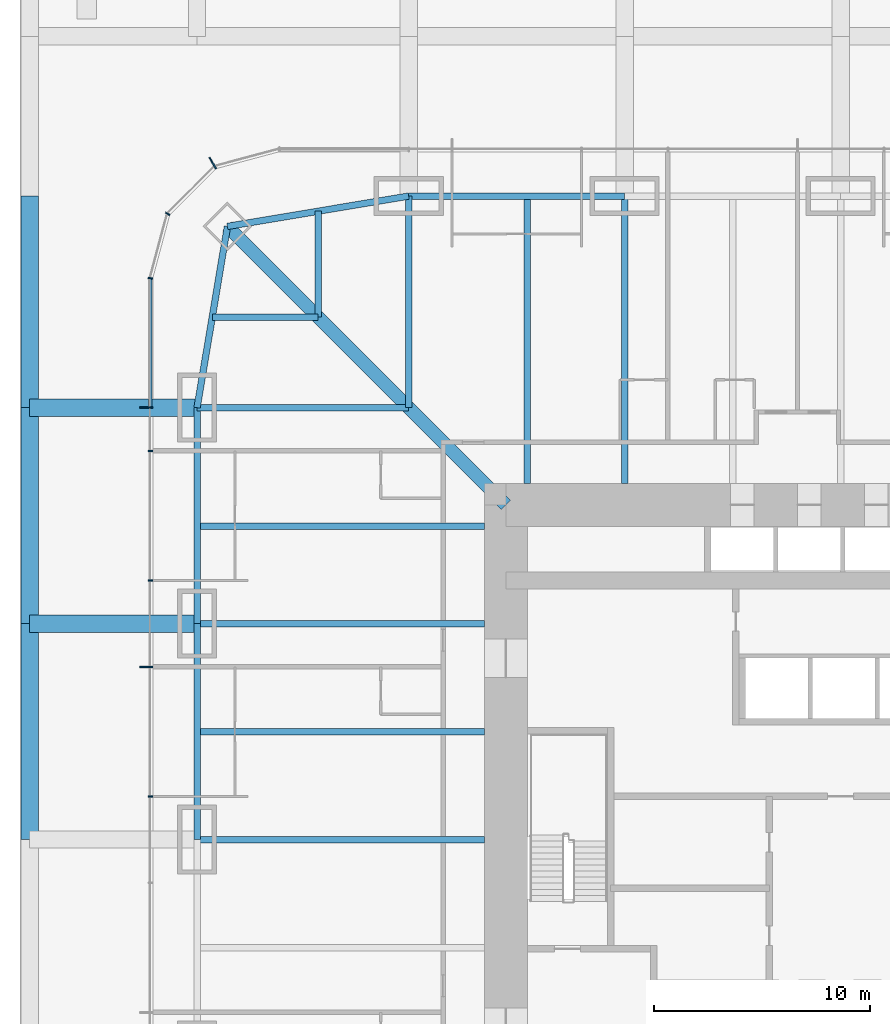
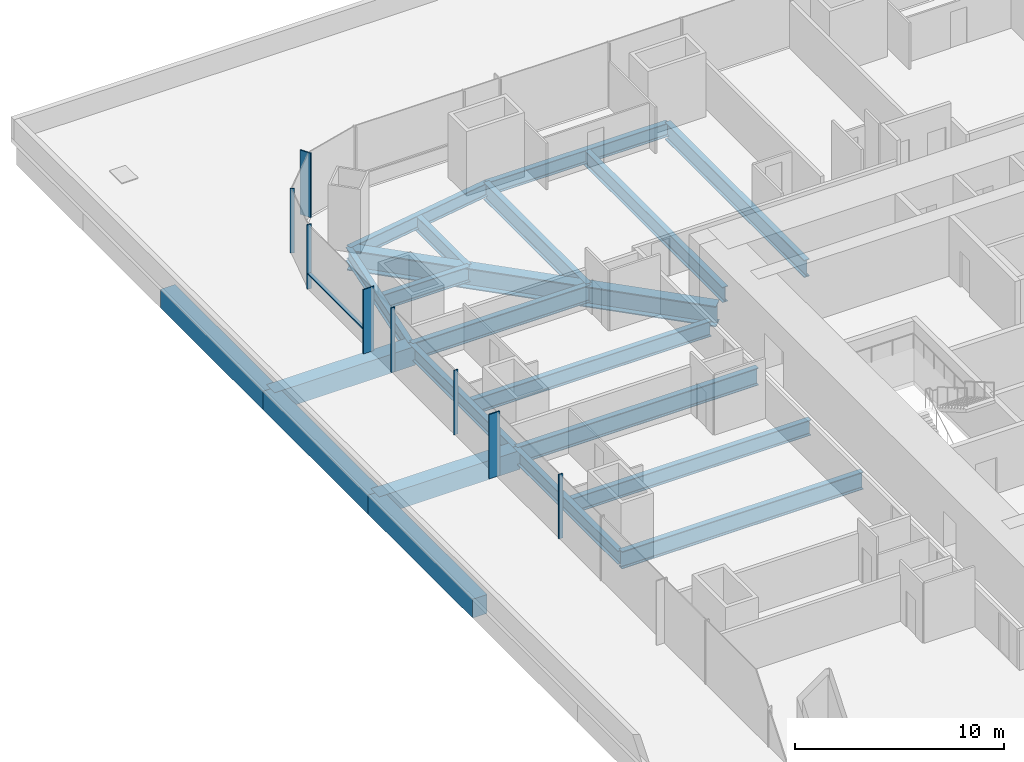
# One storey, part 6 of 20: 21 beams, 9 members, 2 elements without a shape of their own.
"""IFC4 building model written with IfcOpenShell, lengths in metres."""

from ifc_helpers import new_model, si_unit, direction, frame, origin, origin_2d, place, context, subcontext, project, spatial, rectangle, i_section, extrude, material, material_profile, profile_set, type_object, element, aggregate, save


model = new_model("IFC4")

# Units and contexts
model_context = context("Model", 3, precision=1e-05, world=origin(), true_north=direction((0.0, 1.0)))
body_context = subcontext(model_context, "Body", "Model", "MODEL_VIEW")
ifc_project = project(units=[si_unit("LENGTHUNIT", "METRE"), si_unit("AREAUNIT", "SQUARE_METRE"), si_unit("VOLUMEUNIT", "CUBIC_METRE"), si_unit("PLANEANGLEUNIT", "RADIAN"), si_unit("MASSUNIT", "GRAM", prefix="KILO")], contexts=[model_context])

# Site, building, storey
site_placement = place(None, origin())
site = spatial("IfcSite", under=ifc_project, at=site_placement, CompositionType="ELEMENT")
building_placement = place(site_placement, origin())
building = spatial("IfcBuilding", under=site, at=building_placement, Name="Khuree Lantern Residences", CompositionType="ELEMENT")
storey_placement = place(building_placement, frame((0.0, 0.0, 21.0)))
storey = spatial("IfcBuildingStorey", under=building, at=storey_placement, Name="L04", CompositionType="ELEMENT", Elevation=21.0)

# Beams
ifc_material_1 = material(Name="Steel S355", Category="steel")
ifc_material_profile_1 = material_profile(ifc_material_1, i_section(OverallWidth=0.300048828125, OverallDepth=0.889892578125, WebThickness=0.01611328125, FlangeThickness=0.030029296875, FilletRadius=0.030029296875, at=origin_2d()), Name="HE 900 A")
ifc_profile_set_1 = profile_set([ifc_material_profile_1], Name="Steel S355")
beam_type_1 = type_object("IfcBeamType", Name="B-11 SECONDARY BEAM HE 900 A", PredefinedType="BEAM", material=ifc_profile_set_1)
for number, where, z_axis, x_axis, name in (
    (1, (-14.5, 29.800048828125, -0.695068359375), (0.0, -1.0, 0.0), (1.0, 0.0, 0.0), "Secondary beam N1"),
    (2, (-29.800048828125, 5.0, -0.695068359375), (1.0, 0.0, 0.0), (0.0, 1.0, 0.0), "Secondary beam W4"),
    (3, (-29.800048828125, 14.5, -0.695068359375), (1.0, 0.0, 0.0), (0.0, 1.0, 0.0), "Secondary beam W5"),
):
    element("IfcBeam", number, at=place(storey_placement, frame(where, z_axis=z_axis, x_axis=x_axis)), inside=storey, type_object=beam_type_1, Name=name, PredefinedType="BEAM", context=body_context, shape_type="SweptSolid", body=[
        extrude(i_section(OverallWidth=0.300048828125, OverallDepth=0.889892578125, WebThickness=0.01611328125, FlangeThickness=0.030029296875, FilletRadius=0.030029296875, at=origin_2d()), origin(), (0.0, 0.0, 1.0), 13.300048828125),
    ])
for number, where, z_axis, x_axis, name in (
    (4, (-29.09716796875, 24.197021484375, -0.695068359375), (1.0, 0.0, 0.0), (0.0, 1.0, 0.0), "Secondary beam W6"),
    (5, (-24.197021484375, 29.09716796875, -0.695068359375), (0.0, -1.0, 0.0), (1.0, 0.0, 0.0), "Secondary beam N6"),
):
    element("IfcBeam", number, at=place(storey_placement, frame(where, z_axis=z_axis, x_axis=x_axis)), inside=storey, type_object=beam_type_1, Name=name, PredefinedType="BEAM", context=body_context, shape_type="SweptSolid", body=[
        extrude(i_section(OverallWidth=0.300048828125, OverallDepth=0.889892578125, WebThickness=0.01611328125, FlangeThickness=0.030029296875, FilletRadius=0.030029296875, at=origin_2d()), origin(), (0.0, 0.0, 1.0), 4.900146484375),
    ])
ifc_material_profile_2 = material_profile(ifc_material_1, i_section(OverallWidth=0.300048828125, OverallDepth=0.7900390625, WebThickness=0.014892578125, FlangeThickness=0.028076171875, FilletRadius=0.030029296875, at=origin_2d()), Name="HE 800 A")
ifc_profile_set_2 = profile_set([ifc_material_profile_2], Name="Steel S355")
beam_type_2 = type_object("IfcBeamType", Name="E-11 SPANDREL BEAM HE 800 A", PredefinedType="SPANDREL", material=ifc_profile_set_2)
for number, where, z_axis, x_axis, name in (
    (6, (-20.0, 29.800048828125, -0.64501953125), (1.0, 0.0, 0.0), (0.0, 1.0, 0.0), "Spandrel beam N1"),
    (7, (-29.800048828125, 0.0, -0.64501953125), (0.0, 1.0, 0.0), (-1.0, 0.0, 0.0), "Spandrel beam W4"),
    (8, (-29.800048828125, 10.0, -0.64501953125), (0.0, 1.0, 0.0), (-1.0, 0.0, 0.0), "Spandrel beam W5"),
):
    element("IfcBeam", number, at=place(storey_placement, frame(where, z_axis=z_axis, x_axis=x_axis)), inside=storey, type_object=beam_type_2, Name=name, PredefinedType="SPANDREL", context=body_context, shape_type="SweptSolid", body=[
        extrude(i_section(OverallWidth=0.300048828125, OverallDepth=0.7900390625, WebThickness=0.014892578125, FlangeThickness=0.028076171875, FilletRadius=0.030029296875, at=origin_2d()), origin(), (0.0, 0.0, 1.0), 10.0),
    ])
for number, where, z_axis, x_axis, name in (
    (9, (-29.800048828125, 20.0, -0.64501953125), (0.165199022349, 0.986260251158, 0.0), (-0.986260251158, 0.165199022349, 0.0), "Spandrel beam W6"),
    (10, (-28.39404296875, 28.39404296875, -0.64501953125), (0.986260251158, 0.165199022349, 0.0), (-0.165199022349, 0.986260251158, 0.0), "Spandrel beam N6"),
):
    element("IfcBeam", number, at=place(storey_placement, frame(where, z_axis=z_axis, x_axis=x_axis)), inside=storey, type_object=beam_type_2, Name=name, PredefinedType="SPANDREL", context=body_context, shape_type="SweptSolid", body=[
        extrude(i_section(OverallWidth=0.300048828125, OverallDepth=0.7900390625, WebThickness=0.014892578125, FlangeThickness=0.028076171875, FilletRadius=0.030029296875, at=origin_2d()), origin(), (0.0, 0.0, 1.0), 8.510986328125),
    ])

# Curtain wall, member
ifc_material_2 = material(Name="Bronze anodised aluminium", Category="aluminium")
curtain_wall_type_1 = type_object("IfcCurtainWallType", Name="CW-T2 TOWER CORNER CURTAIN WALL", PredefinedType="USERDEFINED", material=ifc_material_2)
curtain_wall_1_placement = place(storey_placement, origin())
curtain_wall_1 = element("IfcCurtainWall", 11, at=curtain_wall_1_placement, inside=storey, type_object=curtain_wall_type_1, Name="L04 NORTH-WEST CORNER CURTAIN WALL", ObjectType="Faceted corner curtain wall", PredefinedType="USERDEFINED")
ifc_material_profile_3 = material_profile(ifc_material_2, rectangle(XDim=0.06494140625, YDim=0.60009765625, at=origin_2d()), Name="F1 65X600")
ifc_profile_set_3 = profile_set([ifc_material_profile_3], Name="Bronze anodised aluminium")
member_type_1 = type_object("IfcMemberType", Name="F1 BRONZE FIN MULLION TOWER 65X600", PredefinedType="MULLION", material=ifc_profile_set_3)
member_1_placement = place(storey_placement, frame((-29.074951171875, 31.326171875, 0.0), z_axis=(0.0, 0.0, 1.0), x_axis=(-0.86602537092, -0.500000056923, 0.0)))
member_1 = element("IfcMember", 12, at=member_1_placement, type_object=member_type_1, Name="L04 NORTH-WEST CORNER FIN MULLION 30", PredefinedType="MULLION", context=body_context, shape_type="SweptSolid", body=[
    extrude(rectangle(XDim=0.06494140625, YDim=0.60009765625, at=origin_2d()), origin(), (0.0, 0.0, 1.0), 3.75),
])

# Curtain wall, members
curtain_wall_type_2 = type_object("IfcCurtainWallType", Name="CW-T1 TOWER FACE CURTAIN WALL", PredefinedType="USERDEFINED", material=ifc_material_2)
curtain_wall_2_placement = place(storey_placement, origin())
curtain_wall_2 = element("IfcCurtainWall", 13, at=curtain_wall_2_placement, inside=storey, type_object=curtain_wall_type_2, Name="L04 WEST FACE CURTAIN WALL", ObjectType="Stick-built curtain wall", PredefinedType="USERDEFINED")
member_2_placement = place(storey_placement, frame((-32.14990234375, 20.0, 0.0), z_axis=(0.0, 0.0, 1.0), x_axis=(0.0, -1.0, 0.0)))
member_2 = element("IfcMember", 14, at=member_2_placement, type_object=member_type_1, Name="L04 WEST FACE FIN MULLION 33", PredefinedType="MULLION", context=body_context, shape_type="SweptSolid", body=[
    extrude(rectangle(XDim=0.06494140625, YDim=0.60009765625, at=origin_2d()), origin(), (0.0, 0.0, 1.0), 3.75),
])
member_3_placement = place(storey_placement, frame((-32.14990234375, 8.0, 0.0), z_axis=(0.0, 0.0, 1.0), x_axis=(0.0, -1.0, 0.0)))
member_3 = element("IfcMember", 15, at=member_3_placement, type_object=member_type_1, Name="L04 WEST FACE FIN MULLION 36", PredefinedType="MULLION", context=body_context, shape_type="SweptSolid", body=[
    extrude(rectangle(XDim=0.06494140625, YDim=0.60009765625, at=origin_2d()), origin(), (0.0, 0.0, 1.0), 3.75),
])

# Beams
ifc_material_profile_4 = material_profile(ifc_material_1, i_section(OverallWidth=0.302001953125, OverallDepth=1.008056640625, WebThickness=0.02099609375, FlangeThickness=0.0400390625, FilletRadius=0.030029296875, at=origin_2d()), Name="HE 1000 M")
ifc_profile_set_4 = profile_set([ifc_material_profile_4], Name="Steel S355")
beam_type_3 = type_object("IfcBeamType", Name="G-11 GIRDER HE 1000 M", PredefinedType="BEAM", material=ifc_profile_set_4)
beam_1_placement = place(storey_placement, frame((-20.0, 29.800048828125, -0.75390625), z_axis=(0.0, -1.0, 0.0), x_axis=(1.0, 0.0, 0.0)))
element("IfcBeam", 16, at=beam_1_placement, inside=storey, type_object=beam_type_3, Name="Girder N1", PredefinedType="BEAM", context=body_context, shape_type="SweptSolid", body=[
    extrude(i_section(OverallWidth=0.302001953125, OverallDepth=1.008056640625, WebThickness=0.02099609375, FlangeThickness=0.0400390625, FilletRadius=0.030029296875, at=origin_2d()), origin(), (0.0, 0.0, 1.0), 9.800048828125),
])
for number, where, z_axis, x_axis, name in (
    (17, (-10.0, 29.800048828125, -0.75390625), (0.0, -1.0, 0.0), (1.0, 0.0, 0.0), "Girder N2"),
    (18, (-29.800048828125, 0.0, -0.75390625), (1.0, 0.0, 0.0), (0.0, 1.0, 0.0), "Girder W3"),
    (19, (-29.800048828125, 10.0, -0.75390625), (1.0, 0.0, 0.0), (0.0, 1.0, 0.0), "Girder W4"),
):
    element("IfcBeam", number, at=place(storey_placement, frame(where, z_axis=z_axis, x_axis=x_axis)), inside=storey, type_object=beam_type_3, Name=name, PredefinedType="BEAM", context=body_context, shape_type="SweptSolid", body=[
        extrude(i_section(OverallWidth=0.302001953125, OverallDepth=1.008056640625, WebThickness=0.02099609375, FlangeThickness=0.0400390625, FilletRadius=0.030029296875, at=origin_2d()), origin(), (0.0, 0.0, 1.0), 13.300048828125),
    ])
beam_2_placement = place(storey_placement, frame((-29.800048828125, 20.0, -0.75390625), z_axis=(1.0, 0.0, 0.0), x_axis=(0.0, 1.0, 0.0)))
element("IfcBeam", 20, at=beam_2_placement, inside=storey, type_object=beam_type_3, Name="Girder W5", PredefinedType="BEAM", context=body_context, shape_type="SweptSolid", body=[
    extrude(i_section(OverallWidth=0.302001953125, OverallDepth=1.008056640625, WebThickness=0.02099609375, FlangeThickness=0.0400390625, FilletRadius=0.030029296875, at=origin_2d()), origin(), (0.0, 0.0, 1.0), 9.800048828125),
])
ifc_material_profile_5 = material_profile(ifc_material_1, i_section(OverallWidth=0.60009765625, OverallDepth=1.199951171875, WebThickness=0.030029296875, FlangeThickness=0.06005859375, at=origin_2d()), Name="WELDED I 1200X600X30X60")
ifc_profile_set_5 = profile_set([ifc_material_profile_5], Name="Steel S355")
beam_type_4 = type_object("IfcBeamType", Name="GD-11 CORNER GIRDER WELDED I 1200X600X30X60", PredefinedType="BEAM", material=ifc_profile_set_5)
beam_3_placement = place(storey_placement, frame((-28.39404296875, 28.39404296875, -0.85009765625), z_axis=(0.707106781187, -0.707106781187, 0.0), x_axis=(0.707106781187, 0.707106781187, 0.0)))
element("IfcBeam", 21, at=beam_3_placement, inside=storey, type_object=beam_type_4, Name="Corner girder NW", PredefinedType="BEAM", context=body_context, shape_type="SweptSolid", body=[
    extrude(i_section(OverallWidth=0.60009765625, OverallDepth=1.199951171875, WebThickness=0.030029296875, FlangeThickness=0.06005859375, at=origin_2d()), origin(), (0.0, 0.0, 1.0), 18.23486328125),
])

# Member
ifc_material_profile_6 = material_profile(ifc_material_2, rectangle(XDim=0.06494140625, YDim=0.219970703125, at=origin_2d()), Name="M1 65X220")
ifc_profile_set_6 = profile_set([ifc_material_profile_6], Name="Bronze anodised aluminium")
member_type_2 = type_object("IfcMemberType", Name="M1 BRONZE MULLION TOWER 65X220", PredefinedType="MULLION", material=ifc_profile_set_6)
member_4_placement = place(storey_placement, frame((-31.16162109375, 28.97998046875, 0.0), z_axis=(0.0, 0.0, 1.0), x_axis=(-0.500000056923, -0.86602537092, 0.0)))
member_4 = element("IfcMember", 22, at=member_4_placement, type_object=member_type_2, Name="L04 NORTH-WEST CORNER MULLION 31", PredefinedType="MULLION", context=body_context, shape_type="SweptSolid", body=[
    extrude(rectangle(XDim=0.06494140625, YDim=0.219970703125, at=origin_2d()), origin(), (0.0, 0.0, 1.0), 3.75),
])

aggregate(curtain_wall_1, [member_1, member_4])

member_5_placement = place(storey_placement, frame((-31.961669921875, 25.994873046875, 0.0), z_axis=(0.0, 0.0, 1.0), x_axis=(-0.130526257387, -0.991444852794, 0.0)))
member_5 = element("IfcMember", 23, at=member_5_placement, type_object=member_type_2, Name="L04 WEST FACE MULLION 32", PredefinedType="MULLION", context=body_context, shape_type="SweptSolid", body=[
    extrude(rectangle(XDim=0.06494140625, YDim=0.219970703125, at=origin_2d()), origin(), (0.0, 0.0, 1.0), 3.75),
])

member_6_placement = place(storey_placement, frame((-31.9599609375, 18.0, 0.0), z_axis=(0.0, 0.0, 1.0), x_axis=(0.0, -1.0, 0.0)))
member_6 = element("IfcMember", 24, at=member_6_placement, type_object=member_type_2, Name="L04 WEST FACE MULLION 34", PredefinedType="MULLION", context=body_context, shape_type="SweptSolid", body=[
    extrude(rectangle(XDim=0.06494140625, YDim=0.219970703125, at=origin_2d()), origin(), (0.0, 0.0, 1.0), 3.75),
])

member_7_placement = place(storey_placement, frame((-31.9599609375, 12.0, 0.0), z_axis=(0.0, 0.0, 1.0), x_axis=(0.0, -1.0, 0.0)))
member_7 = element("IfcMember", 25, at=member_7_placement, type_object=member_type_2, Name="L04 WEST FACE MULLION 35", PredefinedType="MULLION", context=body_context, shape_type="SweptSolid", body=[
    extrude(rectangle(XDim=0.06494140625, YDim=0.219970703125, at=origin_2d()), origin(), (0.0, 0.0, 1.0), 3.75),
])

member_8_placement = place(storey_placement, frame((-31.9599609375, 2.0, 0.0), z_axis=(0.0, 0.0, 1.0), x_axis=(0.0, -1.0, 0.0)))
member_8 = element("IfcMember", 26, at=member_8_placement, type_object=member_type_2, Name="L04 WEST FACE MULLION 37", PredefinedType="MULLION", context=body_context, shape_type="SweptSolid", body=[
    extrude(rectangle(XDim=0.06494140625, YDim=0.219970703125, at=origin_2d()), origin(), (0.0, 0.0, 1.0), 3.75),
])

# Beams
ifc_material_3 = material(Name="Concrete C40/50", Category="concrete")
ifc_material_profile_7 = material_profile(ifc_material_3, rectangle(XDim=0.800048828125, YDim=1.10009765625, at=origin_2d()), Name="RC 800X1100")
ifc_profile_set_7 = profile_set([ifc_material_profile_7], Name="Concrete C40/50")
beam_type_5 = type_object("IfcBeamType", Name="RB4 PODIUM ROOF BEAM RC 800X1100", PredefinedType="BEAM", material=ifc_profile_set_7)
for number, where, z_axis, x_axis, name in (
    (27, (-37.550048828125, 10.0, -0.800048828125), (1.0, 0.0, 0.0), (0.0, 1.0, 0.0), "Podium roof beam RB-7"),
    (28, (-37.550048828125, 20.0, -0.800048828125), (1.0, 0.0, 0.0), (0.0, 1.0, 0.0), "Podium roof beam RB-9"),
):
    element("IfcBeam", number, at=place(storey_placement, frame(where, z_axis=z_axis, x_axis=x_axis)), inside=storey, type_object=beam_type_5, Name=name, PredefinedType="BEAM", context=body_context, shape_type="SweptSolid", body=[
        extrude(rectangle(XDim=0.800048828125, YDim=1.10009765625, at=origin_2d()), origin(), (0.0, 0.0, 1.0), 7.75),
    ])
for number, where, z_axis, x_axis, name in (
    (29, (-37.550048828125, 0.0, -0.800048828125), (0.0, 1.0, 0.0), (-1.0, 0.0, 0.0), "Podium roof beam RB-30"),
    (30, (-37.550048828125, 10.0, -0.800048828125), (0.0, 1.0, 0.0), (-1.0, 0.0, 0.0), "Podium roof beam RB-31"),
):
    element("IfcBeam", number, at=place(storey_placement, frame(where, z_axis=z_axis, x_axis=x_axis)), inside=storey, type_object=beam_type_5, Name=name, PredefinedType="BEAM", context=body_context, shape_type="SweptSolid", body=[
        extrude(rectangle(XDim=0.800048828125, YDim=1.10009765625, at=origin_2d()), origin(), (0.0, 0.0, 1.0), 10.0),
    ])
beam_4_placement = place(storey_placement, frame((-37.550048828125, 20.0, -0.800048828125), z_axis=(0.0, 1.0, 0.0), x_axis=(-1.0, 0.0, 0.0)))
element("IfcBeam", 31, at=beam_4_placement, inside=storey, type_object=beam_type_5, Name="Podium roof beam RB-32", PredefinedType="BEAM", context=body_context, shape_type="SweptSolid", body=[
    extrude(rectangle(XDim=0.800048828125, YDim=1.10009765625, at=origin_2d()), origin(), (0.0, 0.0, 1.0), 9.800048828125),
])

# Member
ifc_material_profile_8 = material_profile(ifc_material_2, rectangle(XDim=0.179931640625, YDim=0.06494140625, at=origin_2d()), Name="T1 180X65")
ifc_profile_set_8 = profile_set([ifc_material_profile_8], Name="Bronze anodised aluminium")
member_type_3 = type_object("IfcMemberType", Name="TRANSOM T1 TOWER 180X65", PredefinedType="USERDEFINED", material=ifc_profile_set_8)
member_9_placement = place(storey_placement, frame((-31.969970703125, 25.951416015625, 0.89990234375), z_axis=(0.0, -1.0, 0.0), x_axis=(1.0, 0.0, 0.0)))
member_9 = element("IfcMember", 32, at=member_9_placement, type_object=member_type_3, Name="L04 WEST FACE TRANSOM 32.1", ObjectType="Transom", PredefinedType="USERDEFINED", context=body_context, shape_type="SweptSolid", body=[
    extrude(rectangle(XDim=0.179931640625, YDim=0.06494140625, at=origin_2d()), origin(), (0.0, 0.0, 1.0), 5.9189453125),
])

aggregate(curtain_wall_2, [member_5, member_2, member_6, member_7, member_3, member_8, member_9])

save(model, "model.ifc")
